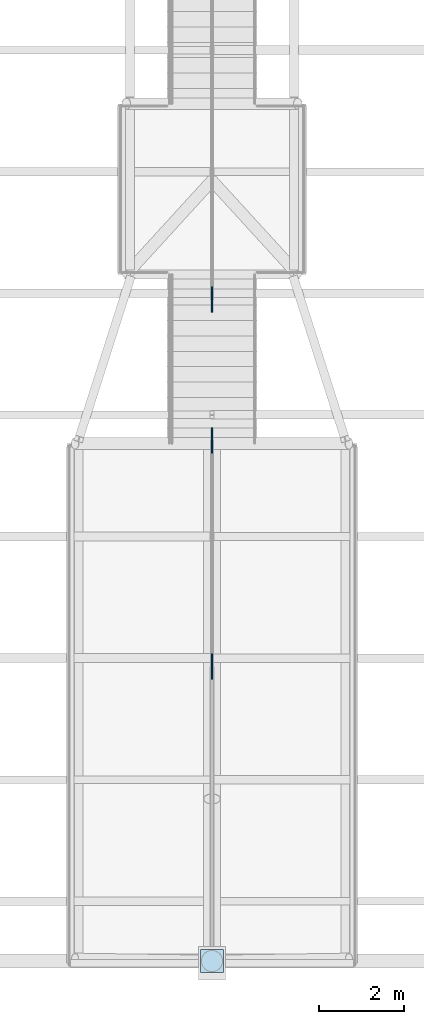
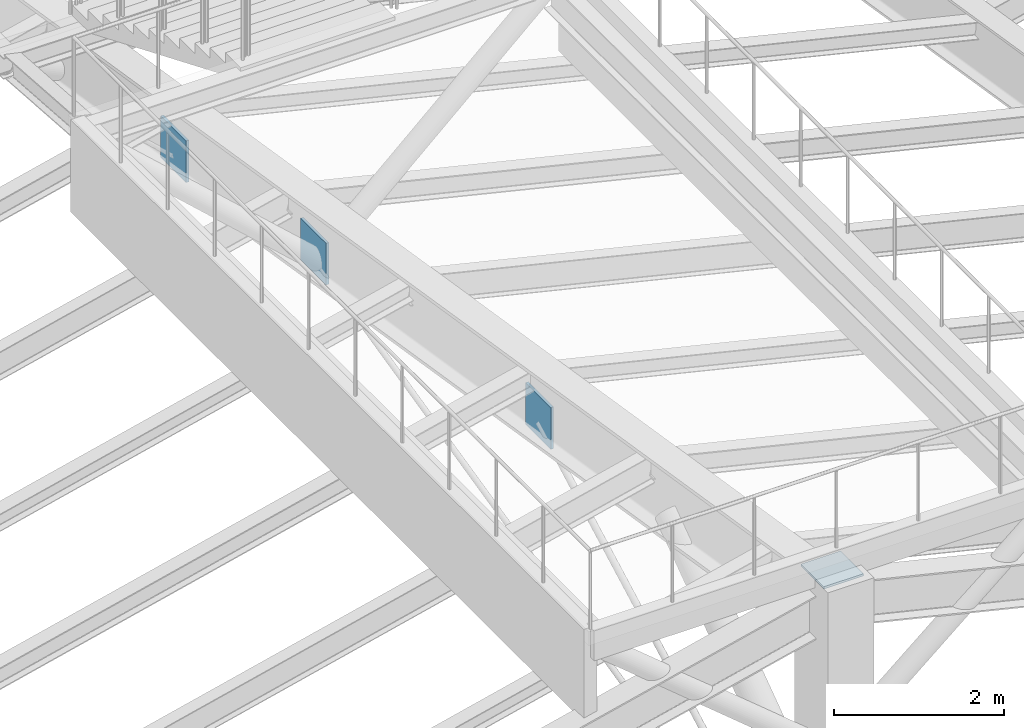
# One storey, part 18 of 43: 4 plates.
"""IFC4 building model written with IfcOpenShell, lengths in metres."""

from ifc_helpers import new_model, si_unit, direction, frame, origin, origin_2d, place, context, subcontext, project, spatial, rectangle, extrude, material, layer, layer_set, type_object, element, save


model = new_model("IFC4")

# Units and contexts
model_context = context("Model", 3, precision=1e-05, world=origin(), true_north=direction((0.0, 1.0)))
body_context = subcontext(model_context, "Body", "Model", "MODEL_VIEW")
ifc_project = project(units=[si_unit("LENGTHUNIT", "METRE"), si_unit("AREAUNIT", "SQUARE_METRE"), si_unit("VOLUMEUNIT", "CUBIC_METRE"), si_unit("PLANEANGLEUNIT", "RADIAN"), si_unit("MASSUNIT", "GRAM", prefix="KILO")], contexts=[model_context])

# Site, building, storey
site_placement = place(None, origin())
site = spatial("IfcSite", under=ifc_project, at=site_placement, CompositionType="ELEMENT")
building_placement = place(site_placement, origin())
building = spatial("IfcBuilding", under=site, at=building_placement, Name="Caurita Quay Ferry Terminal", CompositionType="ELEMENT")
storey_placement = place(building_placement, frame((0.0, 0.0, 14.10009765625)))
storey = spatial("IfcBuildingStorey", under=building, at=storey_placement, Name="L03", CompositionType="ELEMENT", Elevation=14.10009765625)

# Plates
ifc_material = material(Name="Structural plate steel ASTM A572 Gr. 50", Category="steel")
ifc_layer_1 = layer(ifc_material, 0.031982421875, Name="Structural steel connection plate 32 mm")
ifc_layer_set_1 = layer_set([ifc_layer_1], Name="Structural plate steel ASTM A572 Gr. 50")
plate_type_1 = type_object("IfcPlateType", Name="PLT-STL-32", PredefinedType="USERDEFINED", material=ifc_layer_set_1)
plate_placement = place(storey_placement, frame((55.0, 34.60009765625, 3.294921875), z_axis=(0.0, 0.0, 1.0), x_axis=(1.0, 0.0, 0.0)))
element("IfcPlate", 1, at=plate_placement, inside=storey, type_object=plate_type_1, Name="Mast Top Cap Plate V1-06-S", ObjectType="GUSSET PLATE", PredefinedType="USERDEFINED", context=body_context, shape_type="SweptSolid", body=[
    extrude(rectangle(XDim=0.5400390625, YDim=0.5400390625, at=origin_2d()), origin(), (0.0, 0.0, 1.0), 0.031982421875),
])
ifc_layer_2 = layer(ifc_material, 0.0400390625, Name="Structural steel connection plate 40 mm")
ifc_layer_set_2 = layer_set([ifc_layer_2], Name="Structural plate steel ASTM A572 Gr. 50")
plate_type_2 = type_object("IfcPlateType", Name="PLT-STL-40", PredefinedType="USERDEFINED", material=ifc_layer_set_2)
for number, where, z_axis, x_axis, name in (
    (2, (55.0, 41.5, 1.0498046875), (0.0, 0.0, 1.0), (1.0, 0.0, 0.0), "Girder Stay-Cable Anchorage Gusset V1-06-S1"),
    (3, (55.0, 46.800048828125, 0.201904296875), (0.0, 0.0, 1.0), (1.0, 0.0, 0.0), "Girder Stay-Cable Anchorage Gusset V1-06-S2"),
    (4, (55.0, 50.10009765625, -0.326171875), (0.0, 0.0, 1.0), (1.0, 0.0, 0.0), "Girder Stay-Cable Anchorage Gusset V1-06-N2"),
):
    element("IfcPlate", number, at=place(storey_placement, frame(where, z_axis=z_axis, x_axis=x_axis)), inside=storey, type_object=plate_type_2, Name=name, ObjectType="GUSSET PLATE", PredefinedType="USERDEFINED", context=body_context, shape_type="SweptSolid", body=[
        extrude(rectangle(XDim=0.0400390625, YDim=0.60009765625, at=origin_2d()), origin(), (0.0, 0.0, 1.0), 0.60009765625),
    ])

save(model, "model.ifc")
